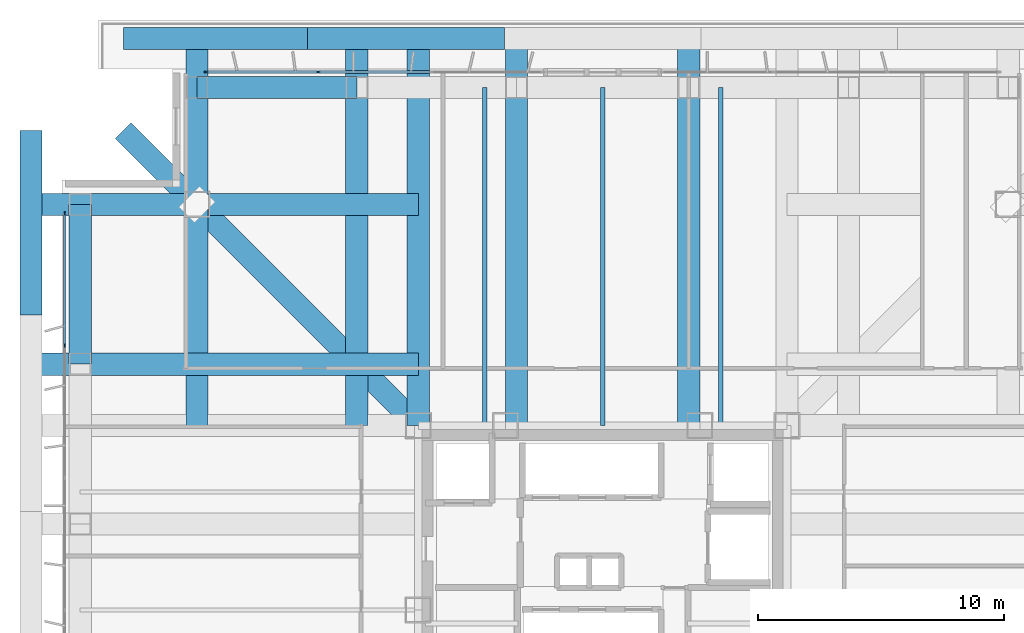
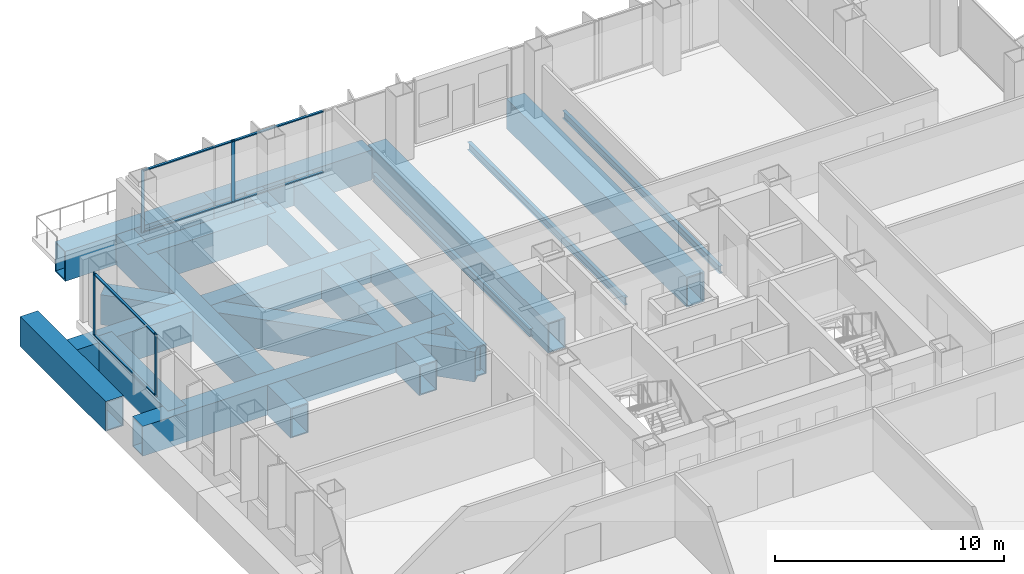
# One storey, part 8 of 17: 16 beams, 10 members, 2 elements without a shape of their own.
"""IFC4 building model written with IfcOpenShell, lengths in metres."""

import ifcopenshell
import ifcopenshell.guid

model = None  # the IFC model being written
_history = None  # IfcOwnerHistory: only IFC2X3 demands one
_inside = {}  # id of a spatial element -> (the spatial element, [elements in it])
_under = {}  # id of a project, library or spatial element -> (it, [spatial elements below it])
_declared = {}  # id of a project -> (the project, [libraries it declares])
_typed = {}  # id of a type object -> (the type object, [elements of that type])
_made_of = {}  # id of a material, layer set ... -> (it, [elements and type objects made of it])


def new_model(schema):
    """Start an empty IFC model of exactly this schema.

    Asked for "IFC4X3", IfcOpenShell would pick the latest addendum, in which some entities
    have other attributes; the version numbers below select the first issue.
    IFC2X3 requires an IfcOwnerHistory on every rooted entity: one is made here for all.
    """
    global model, _history
    if schema == "IFC4X3":
        model = ifcopenshell.file(schema_version=(4, 3, 0, 0))
    else:
        model = ifcopenshell.file(schema=schema)
    _inside.clear()
    _under.clear()
    _declared.clear()
    _typed.clear()
    _made_of.clear()
    _history = None
    if model.schema == "IFC2X3":
        org = make("IfcOrganization", Name="unknown")
        user = make(
            "IfcPersonAndOrganization",
            ThePerson=make("IfcPerson", FamilyName="unknown"),
            TheOrganization=org,
        )
        app = make(
            "IfcApplication",
            ApplicationDeveloper=org,
            Version="unknown",
            ApplicationFullName="unknown",
            ApplicationIdentifier="unknown",
        )
        _history = make(
            "IfcOwnerHistory",
            OwningUser=user,
            OwningApplication=app,
            ChangeAction="ADDED",
            CreationDate=0,
        )
    return model


def make(cls, **values):
    """One entity of the class cls with the attributes given. An attribute that is None is left unset."""
    return model.create_entity(
        cls, **{name: value for name, value in values.items() if value is not None}
    )


def rooted(cls, **values):
    """An entity with a GlobalId (a new one), such as an element, a storey or a relation."""
    return make(cls, GlobalId=ifcopenshell.guid.new(), OwnerHistory=_history, **values)


def si_unit(unit_type, name, prefix=None):
    """IfcSIUnit, for example si_unit("LENGTHUNIT", "METRE", prefix="MILLI")."""
    return make("IfcSIUnit", UnitType=unit_type, Prefix=prefix, Name=name)


def assignment(units):
    """IfcUnitAssignment: the units of a project."""
    return None if units is None else make("IfcUnitAssignment", Units=units)


def point(xyz):
    """IfcCartesianPoint."""
    return None if xyz is None else make("IfcCartesianPoint", Coordinates=xyz)


def direction(xyz):
    """IfcDirection."""
    return None if xyz is None else make("IfcDirection", DirectionRatios=xyz)


def frame(location, z_axis=None, x_axis=None):
    """IfcAxis2Placement3D, a coordinate frame: its origin and axes. An axis left out is left unset."""
    return make(
        "IfcAxis2Placement3D",
        Location=point(location),
        Axis=direction(z_axis),
        RefDirection=direction(x_axis),
    )


def frame_2d(location, x_axis=None):
    """IfcAxis2Placement2D, a coordinate frame in the plane: its origin and x axis."""
    return make(
        "IfcAxis2Placement2D", Location=point(location), RefDirection=direction(x_axis)
    )


def origin():
    """The frame at (0, 0, 0) with its axes left unset."""
    return frame((0.0, 0.0, 0.0))


def origin_2d():
    """The frame at (0, 0) in the plane with its x axis left unset."""
    return frame_2d((0.0, 0.0))


def place(relative_to, where):
    """IfcLocalPlacement: puts the frame where relative to a parent placement (None: the world)."""
    return make(
        "IfcLocalPlacement", PlacementRelTo=relative_to, RelativePlacement=where
    )


def context(
    kind, dimensions, precision=None, world=None, true_north=None, identifier=None
):
    """IfcGeometricRepresentationContext, for example the 3D "Model" context."""
    return make(
        "IfcGeometricRepresentationContext",
        ContextIdentifier=identifier,
        ContextType=kind,
        CoordinateSpaceDimension=dimensions,
        Precision=precision,
        WorldCoordinateSystem=world,
        TrueNorth=true_north,
    )


def subcontext(parent, identifier, kind, view, scale=None):
    """IfcGeometricRepresentationSubContext, for example "Body" below "Model"."""
    return make(
        "IfcGeometricRepresentationSubContext",
        ContextIdentifier=identifier,
        ContextType=kind,
        ParentContext=parent,
        TargetScale=scale,
        TargetView=view,
    )


def project(units=None, contexts=None):
    """IfcProject with its units and contexts."""
    return rooted(
        "IfcProject",
        Name="project",
        RepresentationContexts=contexts,
        UnitsInContext=assignment(units),
    )


def spatial(cls, under=None, at=None, **own):
    """A site, building, storey or space (cls), placed at a placement, below another one or the project."""
    s = rooted(cls, ObjectPlacement=at, **own)
    if under is not None:
        _under.setdefault(under.id(), (under, []))[1].append(s)
    return s


def profile(cls, at=None, kind="AREA", **sizes):
    """A parametric profile (cls). Its sizes go by their IFC names, for example OverallWidth=200.0."""
    return make(cls, ProfileType=kind, Position=at, **sizes)


def rectangle(**sizes):
    """IfcRectangleProfileDef."""
    return profile("IfcRectangleProfileDef", **sizes)


def hollow_rectangle(**sizes):
    """IfcRectangleHollowProfileDef."""
    return profile("IfcRectangleHollowProfileDef", **sizes)


def i_section(**sizes):
    """IfcIShapeProfileDef."""
    return profile("IfcIShapeProfileDef", **sizes)


def extrude(swept, where, along, depth):
    """IfcExtrudedAreaSolid: the profile swept, set in the frame where, extruded along a direction by depth."""
    return make(
        "IfcExtrudedAreaSolid",
        SweptArea=swept,
        Position=where,
        ExtrudedDirection=direction(along),
        Depth=depth,
    )


def shape(context_of_items, identifier, shape_type, items):
    """IfcShapeRepresentation: the items that make up one representation, for example the "Body"."""
    return make(
        "IfcShapeRepresentation",
        ContextOfItems=context_of_items,
        RepresentationIdentifier=identifier,
        RepresentationType=shape_type,
        Items=items,
    )


def material(Name=None, Category=None):
    """IfcMaterial."""
    return make("IfcMaterial", Name=Name, Category=Category)


def layer(
    of_material, thickness, ventilated=None, Name=None, Category=None, Priority=None
):
    """IfcMaterialLayer: one layer of a wall or slab, of a material (None: an air gap)."""
    return make(
        "IfcMaterialLayer",
        Material=of_material,
        LayerThickness=thickness,
        IsVentilated=ventilated,
        Name=Name,
        Category=Category,
        Priority=Priority,
    )


def layer_set(layers, Name=None):
    """IfcMaterialLayerSet."""
    return make("IfcMaterialLayerSet", MaterialLayers=layers, LayerSetName=Name)


def material_profile(
    of_material, cross_section, Name=None, Category=None, Priority=None
):
    """IfcMaterialProfile: a cross section and its material."""
    return make(
        "IfcMaterialProfile",
        Name=Name,
        Material=of_material,
        Profile=cross_section,
        Priority=Priority,
        Category=Category,
    )


def profile_set(profiles, Name=None, composite=None):
    """IfcMaterialProfileSet."""
    return make(
        "IfcMaterialProfileSet",
        Name=Name,
        MaterialProfiles=profiles,
        CompositeProfile=composite,
    )


def made_of(thing, what):
    """Note that an element or type object is made of a material, layer set ...; save() writes the relation."""
    if what is not None:
        _made_of.setdefault(what.id(), (what, []))[1].append(thing)
    return thing


def type_object(cls, material=None, **own):
    """A type object (cls), such as IfcWallType, which elements share."""
    return made_of(rooted(cls, **own), material)


def element(
    cls,
    number,
    at=None,
    inside=None,
    cuts=None,
    type_object=None,
    material=None,
    context=None,
    identifier="Body",
    shape_type=None,
    held_by="IfcProductDefinitionShape",
    body=None,
    shapes=None,
    **own,
):
    """One element of the class cls, such as IfcWall. Its Tag is "e" and its number.

    at: its placement. inside: the storey or other place that contains it. cuts: it is an
    opening in that element (IfcRelVoidsElement). A single representation is given by context,
    identifier, shape_type and body (its items); several are given by shapes. held_by: the class
    of the entity that holds the representations. save() writes the other relations.
    """
    e = rooted(cls, Tag="e%d" % number, ObjectPlacement=at, **own)
    if body is not None:
        shapes = [shape(context, identifier, shape_type, body)]
    if shapes is not None:
        e.Representation = make(held_by, Representations=shapes)
    if inside is not None:
        _inside.setdefault(inside.id(), (inside, []))[1].append(e)
    if cuts is not None:
        rooted(
            "IfcRelVoidsElement", RelatingBuildingElement=cuts, RelatedOpeningElement=e
        )
    if type_object is not None:
        _typed.setdefault(type_object.id(), (type_object, []))[1].append(e)
    return made_of(e, material)


def aggregate(whole, parts):
    """IfcRelAggregates: a whole, such as a stair, and the parts it consists of."""
    return rooted("IfcRelAggregates", RelatingObject=whole, RelatedObjects=parts)


def save(model, path):
    """Write the relations noted so far, then the file.

    IfcRelAggregates (storeys below a building ...), IfcRelContainedInSpatialStructure (elements
    in a storey), IfcRelDefinesByType, IfcRelAssociatesMaterial and IfcRelDeclares: one each for
    every whole, place, type object, material and project.
    """
    for whole, parts in _under.values():
        aggregate(whole, parts)
    for where, things in _inside.values():
        rooted(
            "IfcRelContainedInSpatialStructure",
            RelatedElements=things,
            RelatingStructure=where,
        )
    for kind, things in _typed.values():
        rooted("IfcRelDefinesByType", RelatedObjects=things, RelatingType=kind)
    for what, things in _made_of.values():
        rooted("IfcRelAssociatesMaterial", RelatedObjects=things, RelatingMaterial=what)
    for by, libraries in _declared.values():
        rooted("IfcRelDeclares", RelatingContext=by, RelatedDefinitions=libraries)
    model.write(path)


model = new_model("IFC4")

# Units and contexts
model_context = context("Model", 3, precision=1e-05, world=origin(), true_north=direction((0.0, 1.0)))
body_context = subcontext(model_context, "Body", "Model", "MODEL_VIEW")
ifc_project = project(units=[si_unit("LENGTHUNIT", "METRE"), si_unit("AREAUNIT", "SQUARE_METRE"), si_unit("VOLUMEUNIT", "CUBIC_METRE"), si_unit("PLANEANGLEUNIT", "RADIAN"), si_unit("MASSUNIT", "GRAM", prefix="KILO")], contexts=[model_context])

# Site, building, storey
site_placement = place(None, origin())
site = spatial("IfcSite", under=ifc_project, at=site_placement, CompositionType="ELEMENT")
building_placement = place(site_placement, origin())
building = spatial("IfcBuilding", under=site, at=building_placement, Name="Trevonay Congress Spire", CompositionType="ELEMENT")
storey_placement = place(building_placement, frame((0.0, 0.0, 94.0)))
storey = spatial("IfcBuildingStorey", under=building, at=storey_placement, Name="L23", CompositionType="ELEMENT", Elevation=94.0)

# Beams
ifc_material_1 = material(Name="Steel ASTM A572 Grade 50", Category="steel")
ifc_material_profile_1 = material_profile(ifc_material_1, hollow_rectangle(XDim=0.89990234375, YDim=1.60009765625, WallThickness=0.06005859375, at=origin_2d()), Name="BOX 1600x900x60")
ifc_profile_set_1 = profile_set([ifc_material_profile_1], Name="Steel ASTM A572 Grade 50")
beam_type_1 = type_object("IfcBeamType", Name="BM-RING-BOX1600", PredefinedType="BEAM", material=ifc_profile_set_1)
for number, where, z_axis, x_axis, name in (
    (1, (-16.5, 21.25, -1.199951171875), (1.0, 0.0, 0.0), (0.0, 1.0, 0.0), "L23 structural beam BM-L23-PN1"),
    (2, (-21.25, 10.0, -1.199951171875), (0.0, 1.0, 0.0), (-1.0, 0.0, 0.0), "L23 structural beam BM-L23-PW5"),
):
    element("IfcBeam", number, at=place(storey_placement, frame(where, z_axis=z_axis, x_axis=x_axis)), inside=storey, type_object=beam_type_1, Name=name, PredefinedType="BEAM", context=body_context, shape_type="SweptSolid", body=[
        extrude(hollow_rectangle(XDim=0.89990234375, YDim=1.60009765625, WallThickness=0.06005859375, at=origin_2d()), origin(), (0.0, 0.0, 1.0), 6.5),
    ])
beam_1_placement = place(storey_placement, frame((-19.5, 23.25, -1.199951171875), z_axis=(1.0, 0.0, 0.0), x_axis=(0.0, 1.0, 0.0)))
element("IfcBeam", 3, at=beam_1_placement, inside=storey, type_object=beam_type_1, Name="L23 structural beam XOUT-L23-N0", PredefinedType="BEAM", context=body_context, shape_type="SweptSolid", body=[
    extrude(hollow_rectangle(XDim=0.89990234375, YDim=1.60009765625, WallThickness=0.06005859375, at=origin_2d()), origin(), (0.0, 0.0, 1.0), 7.5),
])
beam_2_placement = place(storey_placement, frame((-12.0, 23.25, -1.199951171875), z_axis=(1.0, 0.0, 0.0), x_axis=(0.0, 1.0, 0.0)))
element("IfcBeam", 4, at=beam_2_placement, inside=storey, type_object=beam_type_1, Name="L23 structural beam XOUT-L23-N1", PredefinedType="BEAM", context=body_context, shape_type="SweptSolid", body=[
    extrude(hollow_rectangle(XDim=0.89990234375, YDim=1.60009765625, WallThickness=0.06005859375, at=origin_2d()), origin(), (0.0, 0.0, 1.0), 8.0),
])
beam_3_placement = place(storey_placement, frame((-23.25, 12.0, -1.199951171875), z_axis=(0.0, 1.0, 0.0), x_axis=(-1.0, 0.0, 0.0)))
element("IfcBeam", 5, at=beam_3_placement, inside=storey, type_object=beam_type_1, Name="L23 structural beam XOUT-L23-W4", PredefinedType="BEAM", context=body_context, shape_type="SweptSolid", body=[
    extrude(hollow_rectangle(XDim=0.89990234375, YDim=1.60009765625, WallThickness=0.06005859375, at=origin_2d()), origin(), (0.0, 0.0, 1.0), 7.5),
])
ifc_material_profile_2 = material_profile(ifc_material_1, hollow_rectangle(XDim=0.89990234375, YDim=1.60009765625, WallThickness=0.06005859375, at=origin_2d()), Name="BOX 1600x900x60")
ifc_profile_set_2 = profile_set([ifc_material_profile_2], Name="Steel ASTM A572 Grade 50")
beam_type_2 = type_object("IfcBeamType", Name="BM-XFER-BOX1600", PredefinedType="BEAM", material=ifc_profile_set_2)
beam_4_placement = place(storey_placement, frame((-7.5, 7.5, -1.199951171875), z_axis=(-0.707106781187, 0.707106781187, 0.0), x_axis=(-0.707106781187, -0.707106781187, 0.0)))
element("IfcBeam", 6, at=beam_4_placement, inside=storey, type_object=beam_type_2, Name="L23 structural beam BM-L23-CDNW", PredefinedType="BEAM", context=body_context, shape_type="SweptSolid", body=[
    extrude(hollow_rectangle(XDim=0.89990234375, YDim=1.60009765625, WallThickness=0.06005859375, at=origin_2d()), origin(), (0.0, 0.0, 1.0), 16.970458984375),
])
for number, where, z_axis, x_axis, name in (
    (7, (-7.5, 7.5, -1.199951171875), (0.0, 1.0, 0.0), (-1.0, 0.0, 0.0), "L23 structural beam XSPN-L23-CY-NW"),
    (8, (-16.5, 7.5, -1.199951171875), (0.0, 1.0, 0.0), (-1.0, 0.0, 0.0), "L23 structural beam XFER-L23-N0"),
    (9, (-10.0, 7.5, -1.199951171875), (0.0, 1.0, 0.0), (-1.0, 0.0, 0.0), "L23 structural beam XFER-L23-N1"),
    (10, (-3.5, 7.5, -1.199951171875), (0.0, 1.0, 0.0), (-1.0, 0.0, 0.0), "L23 structural beam XFER-L23-N2"),
    (11, (3.5, 7.5, -1.199951171875), (0.0, 1.0, 0.0), (-1.0, 0.0, 0.0), "L23 structural beam XFER-L23-N3"),
    (12, (-7.5, 10.0, -1.199951171875), (-1.0, 0.0, 0.0), (0.0, -1.0, 0.0), "L23 structural beam XFER-L23-W4"),
    (13, (-7.5, 16.5, -1.199951171875), (-1.0, 0.0, 0.0), (0.0, -1.0, 0.0), "L23 structural beam XFER-L23-W5"),
):
    element("IfcBeam", number, at=place(storey_placement, frame(where, z_axis=z_axis, x_axis=x_axis)), inside=storey, type_object=beam_type_2, Name=name, PredefinedType="BEAM", context=body_context, shape_type="SweptSolid", body=[
        extrude(hollow_rectangle(XDim=0.89990234375, YDim=1.60009765625, WallThickness=0.06005859375, at=origin_2d()), origin(), (0.0, 0.0, 1.0), 15.75),
    ])

# Curtain wall, members
ifc_material_2 = material(Name="Pale Anodised Aluminium EN AW-6063-T6", Category="aluminium")
ifc_layer = layer(ifc_material_2, 0.175048828125, Name="Pale Anodised Aluminium EN AW-6063-T6")
ifc_layer_set = layer_set([ifc_layer], Name="Pale Anodised Aluminium EN AW-6063-T6")
curtain_wall_type = type_object("IfcCurtainWallType", Name="CW-SYS03-CONGRESS-PALE-METAL", PredefinedType="NOTDEFINED", material=ifc_layer_set)
curtain_wall_1_placement = place(storey_placement, origin())
curtain_wall_1 = element("IfcCurtainWall", 14, at=curtain_wall_1_placement, inside=storey, type_object=curtain_wall_type, Name="L23 NA unitised curtain wall", PredefinedType="NOTDEFINED")
ifc_material_profile_3 = material_profile(ifc_material_2, rectangle(XDim=0.06005859375, YDim=0.159912109375, at=origin_2d()), Name="CW-MULLION-160-ALUMINIUM")
ifc_profile_set_3 = profile_set([ifc_material_profile_3], Name="Pale Anodised Aluminium EN AW-6063-T6")
member_type_1 = type_object("IfcMemberType", Name="CW-MULLION-160-ALUMINIUM", PredefinedType="MULLION", material=ifc_profile_set_3)
member_1_placement = place(storey_placement, frame((-16.1201171875, 21.8798828125, 0.0), z_axis=(0.0, 0.0, 1.0), x_axis=(0.0, 1.0, 0.0)))
member_1 = element("IfcMember", 15, at=member_1_placement, type_object=member_type_1, Name="CW03 mullion 1", PredefinedType="MULLION", context=body_context, shape_type="SweptSolid", body=[
    extrude(rectangle(XDim=0.06005859375, YDim=0.159912109375, at=origin_2d()), origin(), (0.0, 0.0, 1.0), 3.360107421875),
])
member_2_placement = place(storey_placement, frame((-11.566650390625, 21.8798828125, 0.0), z_axis=(0.0, 0.0, 1.0), x_axis=(0.0, 1.0, 0.0)))
member_2 = element("IfcMember", 16, at=member_2_placement, type_object=member_type_1, Name="CW03 mullion 2", PredefinedType="MULLION", context=body_context, shape_type="SweptSolid", body=[
    extrude(rectangle(XDim=0.06005859375, YDim=0.159912109375, at=origin_2d()), origin(), (0.0, 0.0, 1.0), 3.360107421875),
])

curtain_wall_2_placement = place(storey_placement, origin())
curtain_wall_2 = element("IfcCurtainWall", 17, at=curtain_wall_2_placement, inside=storey, type_object=curtain_wall_type, Name="L23 W unitised curtain wall", PredefinedType="NOTDEFINED")
member_3_placement = place(storey_placement, frame((-21.8798828125, 10.7666015625, 0.0), z_axis=(0.0, 0.0, 1.0), x_axis=(-1.0, 0.0, 0.0)))
member_3 = element("IfcMember", 18, at=member_3_placement, type_object=member_type_1, Name="CW03 mullion 6", PredefinedType="MULLION", context=body_context, shape_type="SweptSolid", body=[
    extrude(rectangle(XDim=0.06005859375, YDim=0.159912109375, at=origin_2d()), origin(), (0.0, 0.0, 1.0), 3.360107421875),
])
member_4_placement = place(storey_placement, frame((-21.8798828125, 16.1201171875, 0.0), z_axis=(0.0, 0.0, 1.0), x_axis=(-1.0, 0.0, 0.0)))
member_4 = element("IfcMember", 19, at=member_4_placement, type_object=member_type_1, Name="CW03 mullion 7", PredefinedType="MULLION", context=body_context, shape_type="SweptSolid", body=[
    extrude(rectangle(XDim=0.06005859375, YDim=0.159912109375, at=origin_2d()), origin(), (0.0, 0.0, 1.0), 3.360107421875),
])

# Member
ifc_material_profile_4 = material_profile(ifc_material_2, rectangle(XDim=0.1201171875, YDim=0.06005859375, at=origin_2d()), Name="CW-TRANSOM-120-ALUMINIUM")
ifc_profile_set_4 = profile_set([ifc_material_profile_4], Name="Pale Anodised Aluminium EN AW-6063-T6")
member_type_2 = type_object("IfcMemberType", Name="CW-TRANSOM-120-ALUMINIUM", PredefinedType="USERDEFINED", material=ifc_profile_set_4)
member_5_placement = place(storey_placement, frame((-16.090087890625, 21.8798828125, 0.06005859375), z_axis=(1.0, 0.0, 0.0), x_axis=(0.0, 1.0, 0.0)))
member_5 = element("IfcMember", 20, at=member_5_placement, type_object=member_type_2, Name="CW03 transom 1.1", ObjectType="TRANSOM", PredefinedType="USERDEFINED", context=body_context, shape_type="SweptSolid", body=[
    extrude(rectangle(XDim=0.1201171875, YDim=0.06005859375, at=origin_2d()), origin(), (0.0, 0.0, 1.0), 4.493408203125),
])

member_6_placement = place(storey_placement, frame((-16.090087890625, 21.8798828125, 3.300048828125), z_axis=(1.0, 0.0, 0.0), x_axis=(0.0, 1.0, 0.0)))
member_6 = element("IfcMember", 21, at=member_6_placement, type_object=member_type_2, Name="CW03 transom 1.2", ObjectType="TRANSOM", PredefinedType="USERDEFINED", context=body_context, shape_type="SweptSolid", body=[
    extrude(rectangle(XDim=0.1201171875, YDim=0.06005859375, at=origin_2d()), origin(), (0.0, 0.0, 1.0), 4.493408203125),
])

member_7_placement = place(storey_placement, frame((-11.53662109375, 21.8798828125, 0.06005859375), z_axis=(1.0, 0.0, 0.0), x_axis=(0.0, 1.0, 0.0)))
member_7 = element("IfcMember", 22, at=member_7_placement, type_object=member_type_2, Name="CW03 transom 2.1", ObjectType="TRANSOM", PredefinedType="USERDEFINED", context=body_context, shape_type="SweptSolid", body=[
    extrude(rectangle(XDim=0.1201171875, YDim=0.06005859375, at=origin_2d()), origin(), (0.0, 0.0, 1.0), 4.523193359375),
])

member_8_placement = place(storey_placement, frame((-11.53662109375, 21.8798828125, 3.300048828125), z_axis=(1.0, 0.0, 0.0), x_axis=(0.0, 1.0, 0.0)))
member_8 = element("IfcMember", 23, at=member_8_placement, type_object=member_type_2, Name="CW03 transom 2.2", ObjectType="TRANSOM", PredefinedType="USERDEFINED", context=body_context, shape_type="SweptSolid", body=[
    extrude(rectangle(XDim=0.1201171875, YDim=0.06005859375, at=origin_2d()), origin(), (0.0, 0.0, 1.0), 4.523193359375),
])

aggregate(curtain_wall_1, [member_1, member_2, member_5, member_6, member_7, member_8])

member_9_placement = place(storey_placement, frame((-21.8798828125, 10.796630859375, 0.06005859375), z_axis=(0.0, 1.0, 0.0), x_axis=(-1.0, 0.0, 0.0)))
member_9 = element("IfcMember", 24, at=member_9_placement, type_object=member_type_2, Name="CW03 transom 6.1", ObjectType="TRANSOM", PredefinedType="USERDEFINED", context=body_context, shape_type="SweptSolid", body=[
    extrude(rectangle(XDim=0.1201171875, YDim=0.06005859375, at=origin_2d()), origin(), (0.0, 0.0, 1.0), 5.29345703125),
])

member_10_placement = place(storey_placement, frame((-21.8798828125, 10.796630859375, 3.300048828125), z_axis=(0.0, 1.0, 0.0), x_axis=(-1.0, 0.0, 0.0)))
member_10 = element("IfcMember", 25, at=member_10_placement, type_object=member_type_2, Name="CW03 transom 6.2", ObjectType="TRANSOM", PredefinedType="USERDEFINED", context=body_context, shape_type="SweptSolid", body=[
    extrude(rectangle(XDim=0.1201171875, YDim=0.06005859375, at=origin_2d()), origin(), (0.0, 0.0, 1.0), 5.29345703125),
])

aggregate(curtain_wall_2, [member_3, member_4, member_9, member_10])

# Beams
ifc_material_profile_5 = material_profile(ifc_material_1, i_section(OverallWidth=0.177978515625, OverallDepth=0.406982421875, WebThickness=0.0078125, FlangeThickness=0.0126953125, FilletRadius=0.012939453125, at=origin_2d()), Name="W410x60")
ifc_profile_set_5 = profile_set([ifc_material_profile_5], Name="Steel ASTM A572 Grade 50")
beam_type_3 = type_object("IfcBeamType", Name="JS-COMP-W410X60", PredefinedType="JOIST", material=ifc_profile_set_5)
for number, where, z_axis, x_axis, name in (
    (26, (-4.800048828125, 7.5, -0.603515625), (0.0, 1.0, 0.0), (-1.0, 0.0, 0.0), "L23 structural beam JS-L23-NS-N1"),
    (27, (0.0, 7.5, -0.603515625), (0.0, 1.0, 0.0), (-1.0, 0.0, 0.0), "L23 structural beam JS-L23-NS-N2"),
    (28, (4.800048828125, 7.5, -0.603515625), (0.0, 1.0, 0.0), (-1.0, 0.0, 0.0), "L23 structural beam JS-L23-NS-N3"),
):
    element("IfcBeam", number, at=place(storey_placement, frame(where, z_axis=z_axis, x_axis=x_axis)), inside=storey, type_object=beam_type_3, Name=name, PredefinedType="JOIST", context=body_context, shape_type="SweptSolid", body=[
        extrude(i_section(OverallWidth=0.177978515625, OverallDepth=0.406982421875, WebThickness=0.0078125, FlangeThickness=0.0126953125, FilletRadius=0.012939453125, at=origin_2d()), origin(), (0.0, 0.0, 1.0), 13.75),
    ])

save(model, "model.ifc")
